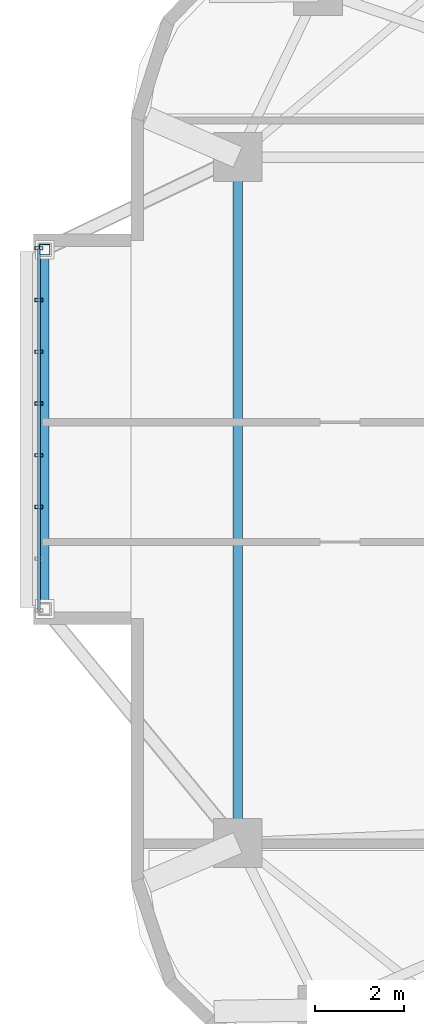
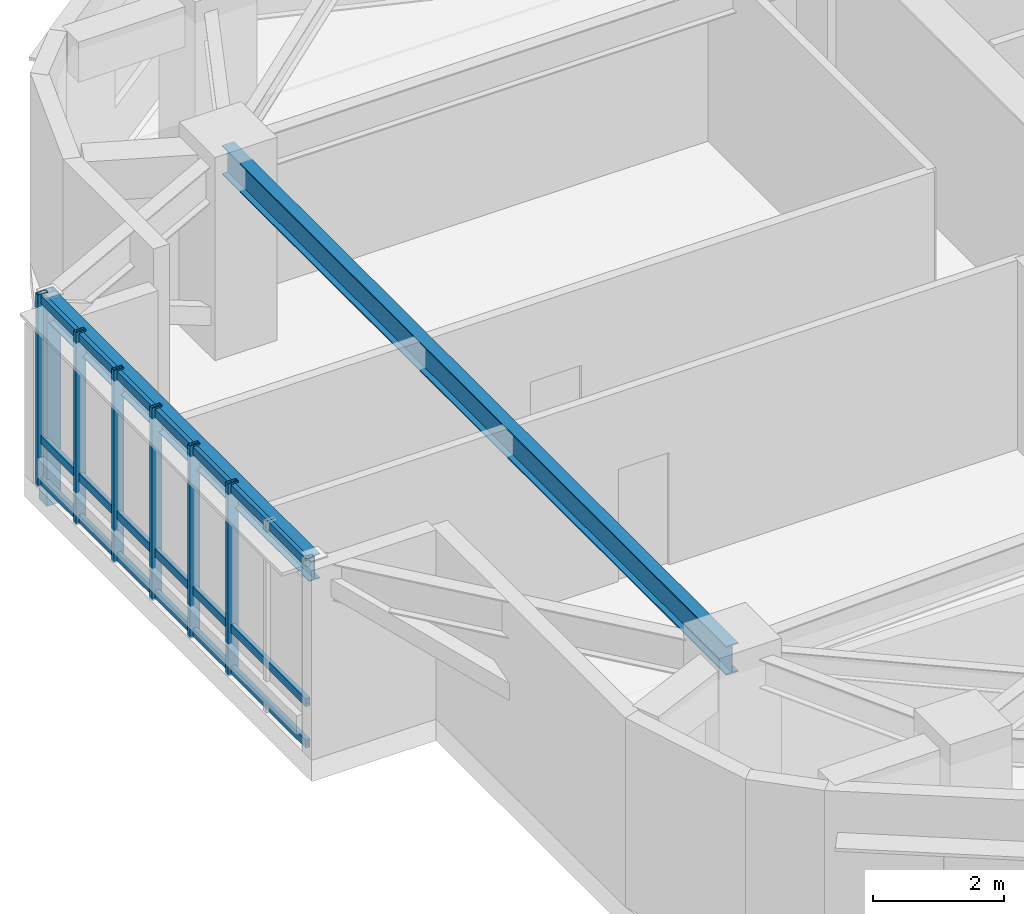
# One storey, part 3 of 16: 10 members, 2 beams, 1 element without a shape of its own.
"""IFC4 building model written with IfcOpenShell, lengths in metres."""

from ifc_helpers import new_model, si_unit, direction, frame, origin, origin_2d, place, context, subcontext, project, spatial, hollow_rectangle, i_section, extrude, material, material_profile, profile_set, type_object, element, aggregate, save


model = new_model("IFC4")

# Units and contexts
model_context = context("Model", 3, precision=1e-05, world=origin(), true_north=direction((0.0, 1.0)))
body_context = subcontext(model_context, "Body", "Model", "MODEL_VIEW")
ifc_project = project(units=[si_unit("LENGTHUNIT", "METRE"), si_unit("AREAUNIT", "SQUARE_METRE"), si_unit("VOLUMEUNIT", "CUBIC_METRE"), si_unit("PLANEANGLEUNIT", "RADIAN"), si_unit("MASSUNIT", "GRAM", prefix="KILO")], contexts=[model_context])

# Site, building, storey
site_placement = place(None, origin())
site = spatial("IfcSite", under=ifc_project, at=site_placement, CompositionType="ELEMENT")
building_placement = place(site_placement, origin())
building = spatial("IfcBuilding", under=site, at=building_placement, Name="Zulverin Broadcast Headquarters", CompositionType="ELEMENT")
storey_placement = place(building_placement, frame((0.0, 0.0, 125.0)))
storey = spatial("IfcBuildingStorey", under=building, at=storey_placement, Name="L31", CompositionType="ELEMENT", Elevation=125.0)

# Beams
ifc_material_1 = material(Name="Structural steel S355JR", Category="steel")
ifc_material_profile_1 = material_profile(ifc_material_1, i_section(OverallWidth=0.19287109375, OverallDepth=0.46728515625, WebThickness=0.011474609375, FlangeThickness=0.01953125, at=origin_2d()), Name="Structural steel S355JR", Category="steel")
ifc_profile_set_1 = profile_set([ifc_material_profile_1], Name="Structural steel S355JR")
beam_type_1 = type_object("IfcBeamType", Name="BM-UB-457", PredefinedType="JOIST", material=ifc_profile_set_1)
beam_1_placement = place(storey_placement, frame((10.25, 22.340087890625, 3.306396484375), z_axis=(0.0, 1.0, 0.0), x_axis=(-1.0, 0.0, 0.0)))
element("IfcBeam", 1, at=beam_1_placement, inside=storey, type_object=beam_type_1, Name="L31 Studio Box Edge Beam SBOX_SKY1_W", PredefinedType="JOIST", context=body_context, shape_type="SweptSolid", body=[
    extrude(i_section(OverallWidth=0.19287109375, OverallDepth=0.46728515625, WebThickness=0.011474609375, FlangeThickness=0.01953125, at=origin_2d()), origin(), (0.0, 0.0, 1.0), 8.099853515625),
])
ifc_material_profile_2 = material_profile(ifc_material_1, i_section(OverallWidth=0.2119140625, OverallDepth=0.54443359375, WebThickness=0.0126953125, FlangeThickness=0.021240234375, at=origin_2d()), Name="Structural steel S355JR", Category="steel")
ifc_profile_set_2 = profile_set([ifc_material_profile_2], Name="Structural steel S355JR")
beam_type_2 = type_object("IfcBeamType", Name="BM-UB-533", PredefinedType="SPANDREL", material=ifc_profile_set_2)
beam_2_placement = place(storey_placement, frame((14.60009765625, 32.523193359375, 3.267578125), z_axis=(0.0, -1.0, 0.0), x_axis=(1.0, 0.0, 0.0)))
element("IfcBeam", 2, at=beam_2_placement, inside=storey, type_object=beam_type_2, Name="L31 Perimeter Spandrel Beam SP-13", PredefinedType="SPANDREL", context=body_context, shape_type="SweptSolid", body=[
    extrude(i_section(OverallWidth=0.2119140625, OverallDepth=0.54443359375, WebThickness=0.0126953125, FlangeThickness=0.021240234375, at=origin_2d()), origin(), (0.0, 0.0, 1.0), 15.451171875),
])

# Curtain wall, members
ifc_material_2 = material(Name="Acoustic triple-glazed studio box curtain wall", Category="aluminium")
curtain_wall_type = type_object("IfcCurtainWallType", Name="CW-SBOX", PredefinedType="USERDEFINED", material=ifc_material_2)
curtain_wall_placement = place(storey_placement, origin())
curtain_wall = element("IfcCurtainWall", 3, at=curtain_wall_placement, inside=storey, type_object=curtain_wall_type, Name="L31 Unitised Curtain Wall CW-L31-SBOX_SKY1_W-F", ObjectType="UNITISED CURTAIN WALL", PredefinedType="USERDEFINED")
ifc_material_3 = material(Name="Anodized pale-metal aluminium alloy 6063-T6", Category="aluminium")
ifc_material_profile_3 = material_profile(ifc_material_3, hollow_rectangle(XDim=0.074951171875, YDim=0.179931640625, WallThickness=0.0048828125, at=origin_2d()), Name="Anodized pale-metal aluminium alloy 6063-T6", Category="aluminium")
ifc_profile_set_3 = profile_set([ifc_material_profile_3], Name="Anodized pale-metal aluminium alloy 6063-T6")
member_type_1 = type_object("IfcMemberType", Name="CW-MUL-180", PredefinedType="MULLION", material=ifc_profile_set_3)
member_1_placement = place(storey_placement, frame((10.1201171875, 30.469970703125, -0.030029296875), z_axis=(0.0, 0.0, 1.0), x_axis=(0.0, -1.0, 0.0)))
member_1 = element("IfcMember", 4, at=member_1_placement, type_object=member_type_1, Name="CW-L31-SBOX_SKY1_W-F Mullion 00", PredefinedType="MULLION", context=body_context, shape_type="SweptSolid", body=[
    extrude(hollow_rectangle(XDim=0.074951171875, YDim=0.179931640625, WallThickness=0.0048828125, at=origin_2d()), origin(), (0.0, 0.0, 1.0), 3.60009765625),
])
member_2_placement = place(storey_placement, frame((10.1201171875, 29.30419921875, -0.030029296875), z_axis=(0.0, 0.0, 1.0), x_axis=(0.0, -1.0, 0.0)))
member_2 = element("IfcMember", 5, at=member_2_placement, type_object=member_type_1, Name="CW-L31-SBOX_SKY1_W-F Mullion 01", PredefinedType="MULLION", context=body_context, shape_type="SweptSolid", body=[
    extrude(hollow_rectangle(XDim=0.074951171875, YDim=0.179931640625, WallThickness=0.0048828125, at=origin_2d()), origin(), (0.0, 0.0, 1.0), 3.60009765625),
])
member_3_placement = place(storey_placement, frame((10.1201171875, 28.138671875, -0.030029296875), z_axis=(0.0, 0.0, 1.0), x_axis=(0.0, -1.0, 0.0)))
member_3 = element("IfcMember", 6, at=member_3_placement, type_object=member_type_1, Name="CW-L31-SBOX_SKY1_W-F Mullion 02", PredefinedType="MULLION", context=body_context, shape_type="SweptSolid", body=[
    extrude(hollow_rectangle(XDim=0.074951171875, YDim=0.179931640625, WallThickness=0.0048828125, at=origin_2d()), origin(), (0.0, 0.0, 1.0), 3.60009765625),
])
member_4_placement = place(storey_placement, frame((10.1201171875, 26.972900390625, -0.030029296875), z_axis=(0.0, 0.0, 1.0), x_axis=(0.0, -1.0, 0.0)))
member_4 = element("IfcMember", 7, at=member_4_placement, type_object=member_type_1, Name="CW-L31-SBOX_SKY1_W-F Mullion 03", PredefinedType="MULLION", context=body_context, shape_type="SweptSolid", body=[
    extrude(hollow_rectangle(XDim=0.074951171875, YDim=0.179931640625, WallThickness=0.0048828125, at=origin_2d()), origin(), (0.0, 0.0, 1.0), 3.60009765625),
])
member_5_placement = place(storey_placement, frame((10.1201171875, 25.80712890625, -0.030029296875), z_axis=(0.0, 0.0, 1.0), x_axis=(0.0, -1.0, 0.0)))
member_5 = element("IfcMember", 8, at=member_5_placement, type_object=member_type_1, Name="CW-L31-SBOX_SKY1_W-F Mullion 04", PredefinedType="MULLION", context=body_context, shape_type="SweptSolid", body=[
    extrude(hollow_rectangle(XDim=0.074951171875, YDim=0.179931640625, WallThickness=0.0048828125, at=origin_2d()), origin(), (0.0, 0.0, 1.0), 3.60009765625),
])
member_6_placement = place(storey_placement, frame((10.1201171875, 24.641357421875, -0.030029296875), z_axis=(0.0, 0.0, 1.0), x_axis=(0.0, -1.0, 0.0)))
member_6 = element("IfcMember", 9, at=member_6_placement, type_object=member_type_1, Name="CW-L31-SBOX_SKY1_W-F Mullion 05", PredefinedType="MULLION", context=body_context, shape_type="SweptSolid", body=[
    extrude(hollow_rectangle(XDim=0.074951171875, YDim=0.179931640625, WallThickness=0.0048828125, at=origin_2d()), origin(), (0.0, 0.0, 1.0), 3.60009765625),
])
ifc_material_profile_4 = material_profile(ifc_material_3, hollow_rectangle(XDim=0.074951171875, YDim=0.14990234375, WallThickness=0.0048828125, at=origin_2d()), Name="Anodized pale-metal aluminium alloy 6063-T6", Category="aluminium")
ifc_profile_set_4 = profile_set([ifc_material_profile_4], Name="Anodized pale-metal aluminium alloy 6063-T6")
member_type_2 = type_object("IfcMemberType", Name="CW-TRN-150", PredefinedType="USERDEFINED", material=ifc_profile_set_4)
member_7_placement = place(storey_placement, frame((10.1201171875, 30.469970703125, 0.074951171875), z_axis=(0.0, -1.0, 0.0), x_axis=(1.0, 0.0, 0.0)))
member_7 = element("IfcMember", 10, at=member_7_placement, type_object=member_type_2, Name="CW-L31-SBOX_SKY1_W-F Transom 0", ObjectType="TRANSOM", PredefinedType="USERDEFINED", context=body_context, shape_type="SweptSolid", body=[
    extrude(hollow_rectangle(XDim=0.074951171875, YDim=0.14990234375, WallThickness=0.0048828125, at=origin_2d()), origin(), (0.0, 0.0, 1.0), 8.159912109375),
])
member_8_placement = place(storey_placement, frame((10.1201171875, 30.469970703125, 0.849609375), z_axis=(0.0, -1.0, 0.0), x_axis=(1.0, 0.0, 0.0)))
member_8 = element("IfcMember", 11, at=member_8_placement, type_object=member_type_2, Name="CW-L31-SBOX_SKY1_W-F Transom 1", ObjectType="TRANSOM", PredefinedType="USERDEFINED", context=body_context, shape_type="SweptSolid", body=[
    extrude(hollow_rectangle(XDim=0.074951171875, YDim=0.14990234375, WallThickness=0.0048828125, at=origin_2d()), origin(), (0.0, 0.0, 1.0), 8.159912109375),
])
member_9_placement = place(storey_placement, frame((10.1201171875, 30.469970703125, 3.465087890625), z_axis=(0.0, -1.0, 0.0), x_axis=(1.0, 0.0, 0.0)))
member_9 = element("IfcMember", 12, at=member_9_placement, type_object=member_type_2, Name="CW-L31-SBOX_SKY1_W-F Transom 2", ObjectType="TRANSOM", PredefinedType="USERDEFINED", context=body_context, shape_type="SweptSolid", body=[
    extrude(hollow_rectangle(XDim=0.074951171875, YDim=0.14990234375, WallThickness=0.0048828125, at=origin_2d()), origin(), (0.0, 0.0, 1.0), 8.159912109375),
])
aggregate(curtain_wall, [member_1, member_2, member_3, member_4, member_5, member_6, member_7, member_8, member_9])

# Member
ifc_material_profile_5 = material_profile(ifc_material_1, hollow_rectangle(XDim=0.25, YDim=0.25, WallThickness=0.01611328125, at=origin_2d()), Name="Structural steel S355JR", Category="steel")
ifc_profile_set_5 = profile_set([ifc_material_profile_5], Name="Structural steel S355JR")
member_type_3 = type_object("IfcMemberType", Name="MBR-BLT-POST", PredefinedType="POST", material=ifc_profile_set_5)
member_10_placement = place(storey_placement, frame((10.25, 30.43994140625, -0.35009765625), z_axis=(0.0, 0.0, 1.0), x_axis=(1.0, 0.0, 0.0)))
element("IfcMember", 13, at=member_10_placement, inside=storey, type_object=member_type_3, Name="L31 Shifted Studio Box Frame Post SBOX_SKY1_W-2", PredefinedType="POST", context=body_context, shape_type="SweptSolid", body=[
    extrude(hollow_rectangle(XDim=0.25, YDim=0.25, WallThickness=0.01611328125, at=origin_2d()), origin(), (0.0, 0.0, 1.0), 3.89013671875),
])

save(model, "model.ifc")
